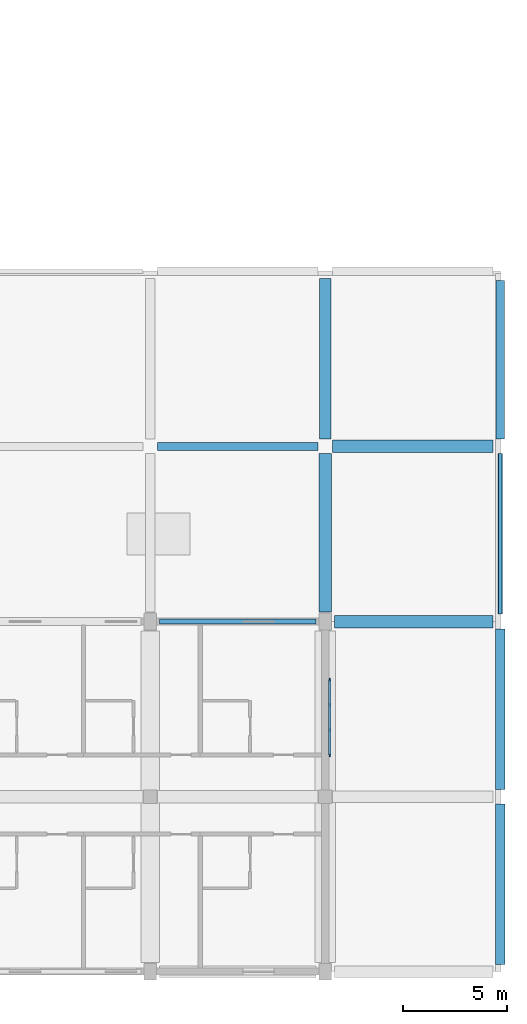
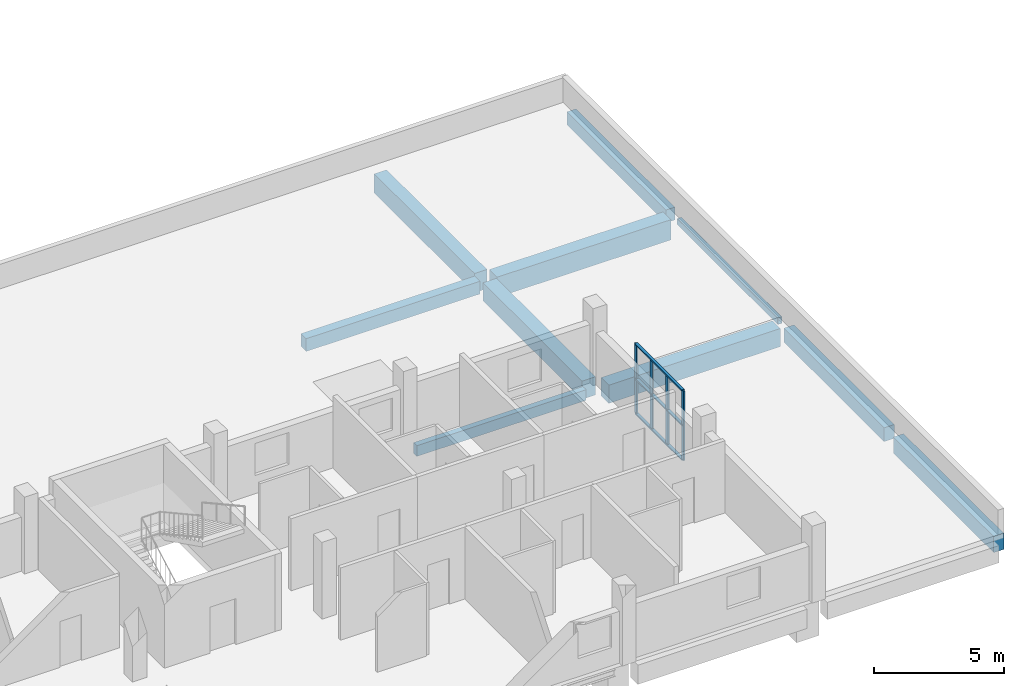
# One storey, part 9 of 42: 10 beams, 7 members, 1 element without a shape of its own.
"""IFC4 building model written with IfcOpenShell, lengths in metres."""

from ifc_helpers import new_model, si_unit, derived_unit, direction, frame, origin, origin_2d, place, context, subcontext, project, spatial, rectangle, hollow_rectangle, extrude, material, material_profile, profile_set, type_object, element, aggregate, save


model = new_model("IFC4")

# Units and contexts
model_context = context("Model", 3, precision=1e-05, world=origin(), true_north=direction((0.0, 1.0)))
body_context = subcontext(model_context, "Body", "Model", "MODEL_VIEW")
ifc_project = project(units=[si_unit("LENGTHUNIT", "METRE"), si_unit("AREAUNIT", "SQUARE_METRE"), si_unit("VOLUMEUNIT", "CUBIC_METRE"), si_unit("PLANEANGLEUNIT", "RADIAN"), si_unit("MASSUNIT", "GRAM", prefix="KILO"), derived_unit("THERMALTRANSMITTANCEUNIT", [(si_unit("POWERUNIT", "WATT"), 1), (si_unit("LENGTHUNIT", "METRE"), -2), (si_unit("THERMODYNAMICTEMPERATUREUNIT", "KELVIN"), -1)])], contexts=[model_context])

# Site, building, storey
site_placement = place(None, origin())
site = spatial("IfcSite", under=ifc_project, at=site_placement, CompositionType="ELEMENT")
building_placement = place(site_placement, origin())
building = spatial("IfcBuilding", under=site, at=building_placement, Name="Barrovel Congress Hotel", CompositionType="ELEMENT")
storey_placement = place(building_placement, frame((0.0, 0.0, 18.300048828125)))
storey = spatial("IfcBuildingStorey", under=building, at=storey_placement, Name="L04", CompositionType="ELEMENT", Elevation=18.300048828125)

# Beams
ifc_material_1 = material(Name="Concrete C40", Category="concrete")
ifc_material_profile_1 = material_profile(ifc_material_1, rectangle(XDim=0.25, YDim=0.5, at=origin_2d()), Name="RC250x500")
ifc_profile_set_1 = profile_set([ifc_material_profile_1], Name="Concrete C40")
beam_type_1 = type_object("IfcBeamType", Name="BM-RC250x500", PredefinedType="SPANDREL", material=ifc_profile_set_1)
beam_1_placement = place(storey_placement, frame((160.050048828125, 21.0, -0.550048828125), z_axis=(1.0, 0.0, 0.0), x_axis=(0.0, 1.0, 0.0)))
element("IfcBeam", 1, at=beam_1_placement, inside=storey, type_object=beam_type_1, Name="BMX:L04:21.0:159.6-168.0", PredefinedType="SPANDREL", context=body_context, shape_type="SweptSolid", body=[
    extrude(rectangle(XDim=0.25, YDim=0.5, at=origin_2d()), origin(), (0.0, 0.0, 1.0), 7.5),
])
ifc_material_profile_2 = material_profile(ifc_material_1, rectangle(XDim=0.39990234375, YDim=0.60009765625, at=origin_2d()), Name="RC400x600")
ifc_profile_set_2 = profile_set([ifc_material_profile_2], Name="Concrete C40")
beam_type_2 = type_object("IfcBeamType", Name="BM-RC400x600", PredefinedType="BEAM", material=ifc_profile_set_2)
beam_2_placement = place(storey_placement, frame((159.949951171875, 29.39990234375, -0.60009765625), z_axis=(1.0, 0.0, 0.0), x_axis=(0.0, 1.0, 0.0)))
element("IfcBeam", 2, at=beam_2_placement, inside=storey, type_object=beam_type_2, Name="BMX:L04:29.4:159.6-168.0", PredefinedType="BEAM", context=body_context, shape_type="SweptSolid", body=[
    extrude(rectangle(XDim=0.39990234375, YDim=0.60009765625, at=origin_2d()), origin(), (0.0, 0.0, 1.0), 7.699951171875),
])
beam_3_placement = place(storey_placement, frame((176.39990234375, 29.75, -0.60009765625), z_axis=(0.0, 1.0, 0.0), x_axis=(-1.0, 0.0, 0.0)))
element("IfcBeam", 3, at=beam_3_placement, inside=storey, type_object=beam_type_2, Name="BMY:L04:176.4:29.4-37.8", PredefinedType="BEAM", context=body_context, shape_type="SweptSolid", body=[
    extrude(rectangle(XDim=0.39990234375, YDim=0.60009765625, at=origin_2d()), origin(), (0.0, 0.0, 1.0), 7.60009765625),
])
ifc_material_profile_3 = material_profile(ifc_material_1, rectangle(XDim=0.449951171875, YDim=0.64990234375, at=origin_2d()), Name="RC450x650")
ifc_profile_set_3 = profile_set([ifc_material_profile_3], Name="Concrete C40")
beam_type_3 = type_object("IfcBeamType", Name="BM-RC450x650", PredefinedType="BEAM", material=ifc_profile_set_3)
beam_4_placement = place(storey_placement, frame((176.39990234375, 12.949951171875, -0.625), z_axis=(0.0, 1.0, 0.0), x_axis=(-1.0, 0.0, 0.0)))
element("IfcBeam", 4, at=beam_4_placement, inside=storey, type_object=beam_type_3, Name="BMY:L04:176.4:12.6-21.0", PredefinedType="BEAM", context=body_context, shape_type="SweptSolid", body=[
    extrude(rectangle(XDim=0.449951171875, YDim=0.64990234375, at=origin_2d()), origin(), (0.0, 0.0, 1.0), 7.699951171875),
])
ifc_material_profile_4 = material_profile(ifc_material_1, rectangle(XDim=0.449951171875, YDim=0.75, at=origin_2d()), Name="RC450x750")
ifc_profile_set_4 = profile_set([ifc_material_profile_4], Name="Concrete C40")
beam_type_4 = type_object("IfcBeamType", Name="BM-RC450x750", PredefinedType="BEAM", material=ifc_profile_set_4)
beam_5_placement = place(storey_placement, frame((176.39990234375, 4.550048828125, -0.675048828125), z_axis=(0.0, 1.0, 0.0), x_axis=(-1.0, 0.0, 0.0)))
element("IfcBeam", 5, at=beam_5_placement, inside=storey, type_object=beam_type_4, Name="BMY:L04:176.4:4.2-12.6", PredefinedType="BEAM", context=body_context, shape_type="SweptSolid", body=[
    extrude(rectangle(XDim=0.449951171875, YDim=0.75, at=origin_2d()), origin(), (0.0, 0.0, 1.0), 7.699951171875),
])
ifc_material_profile_5 = material_profile(ifc_material_1, rectangle(XDim=0.550048828125, YDim=0.89990234375, at=origin_2d()), Name="RC550x900")
ifc_profile_set_5 = profile_set([ifc_material_profile_5], Name="Concrete C40")
beam_type_5 = type_object("IfcBeamType", Name="BM-RC550x900", PredefinedType="BEAM", material=ifc_profile_set_5)
beam_6_placement = place(storey_placement, frame((168.0, 29.75, -0.75), z_axis=(0.0, 1.0, 0.0), x_axis=(-1.0, 0.0, 0.0)))
element("IfcBeam", 6, at=beam_6_placement, inside=storey, type_object=beam_type_5, Name="BMY:L04:168.0:29.4-37.8", PredefinedType="BEAM", context=body_context, shape_type="SweptSolid", body=[
    extrude(rectangle(XDim=0.550048828125, YDim=0.89990234375, at=origin_2d()), origin(), (0.0, 0.0, 1.0), 7.699951171875),
])
ifc_material_profile_6 = material_profile(ifc_material_1, rectangle(XDim=0.60009765625, YDim=0.85009765625, at=origin_2d()), Name="RC600x850")
ifc_profile_set_6 = profile_set([ifc_material_profile_6], Name="Concrete C40")
beam_type_6 = type_object("IfcBeamType", Name="BM-RC600x850", PredefinedType="BEAM", material=ifc_profile_set_6)
for number, where, z_axis, x_axis, name in (
    (7, (168.449951171875, 21.0, -0.72509765625), (1.0, 0.0, 0.0), (0.0, 1.0, 0.0), "BMX:L04:21.0:168.0-176.4"),
    (8, (168.0, 21.449951171875, -0.72509765625), (0.0, 1.0, 0.0), (-1.0, 0.0, 0.0), "BMY:L04:168.0:21.0-29.4"),
):
    element("IfcBeam", number, at=place(storey_placement, frame(where, z_axis=z_axis, x_axis=x_axis)), inside=storey, type_object=beam_type_6, Name=name, PredefinedType="BEAM", context=body_context, shape_type="SweptSolid", body=[
        extrude(rectangle(XDim=0.60009765625, YDim=0.85009765625, at=origin_2d()), origin(), (0.0, 0.0, 1.0), 7.60009765625),
    ])
ifc_material_profile_7 = material_profile(ifc_material_1, rectangle(XDim=0.60009765625, YDim=0.949951171875, at=origin_2d()), Name="RC600x950")
ifc_profile_set_7 = profile_set([ifc_material_profile_7], Name="Concrete C40")
beam_type_7 = type_object("IfcBeamType", Name="BM-RC600x950", PredefinedType="BEAM", material=ifc_profile_set_7)
beam_7_placement = place(storey_placement, frame((168.35009765625, 29.39990234375, -0.775146484375), z_axis=(1.0, 0.0, 0.0), x_axis=(0.0, 1.0, 0.0)))
element("IfcBeam", 9, at=beam_7_placement, inside=storey, type_object=beam_type_7, Name="BMX:L04:29.4:168.0-176.4", PredefinedType="BEAM", context=body_context, shape_type="SweptSolid", body=[
    extrude(rectangle(XDim=0.60009765625, YDim=0.949951171875, at=origin_2d()), origin(), (0.0, 0.0, 1.0), 7.699951171875),
])

# Curtain wall, members
ifc_material_2 = material(Name="Anodised Aluminium Alloy 6063-T6", Category="aluminium")
curtain_wall_type = type_object("IfcCurtainWallType", Name="CW-UN-3600x3200", PredefinedType="USERDEFINED", material=ifc_material_2)
curtain_wall_placement = place(storey_placement, origin())
curtain_wall = element("IfcCurtainWall", 10, at=curtain_wall_placement, inside=storey, type_object=curtain_wall_type, Name="CW:L04:UN-1", ObjectType="UNITISED CURTAIN WALL", PredefinedType="USERDEFINED")
ifc_material_profile_8 = material_profile(ifc_material_2, rectangle(XDim=0.06005859375, YDim=0.1650390625, at=origin_2d()), Name="AL-M60x165")
ifc_profile_set_8 = profile_set([ifc_material_profile_8], Name="Anodised Aluminium Alloy 6063-T6")
member_type_1 = type_object("IfcMemberType", Name="CWM-AL-M60x165", PredefinedType="MULLION", material=ifc_profile_set_8)
member_1_placement = place(storey_placement, frame((168.219970703125, 14.60009765625, 0.0), z_axis=(0.0, 0.0, 1.0), x_axis=(1.0, 0.0, 0.0)))
member_1 = element("IfcMember", 11, at=member_1_placement, type_object=member_type_1, Name="CW:L04:UN-1:M0", PredefinedType="MULLION", context=body_context, shape_type="SweptSolid", body=[
    extrude(rectangle(XDim=0.06005859375, YDim=0.1650390625, at=origin_2d()), origin(), (0.0, 0.0, 1.0), 3.25),
])
member_2_placement = place(storey_placement, frame((168.219970703125, 15.800048828125, 0.0), z_axis=(0.0, 0.0, 1.0), x_axis=(1.0, 0.0, 0.0)))
member_2 = element("IfcMember", 12, at=member_2_placement, type_object=member_type_1, Name="CW:L04:UN-1:M1", PredefinedType="MULLION", context=body_context, shape_type="SweptSolid", body=[
    extrude(rectangle(XDim=0.06005859375, YDim=0.1650390625, at=origin_2d()), origin(), (0.0, 0.0, 1.0), 3.25),
])
member_3_placement = place(storey_placement, frame((168.219970703125, 17.0, 0.0), z_axis=(0.0, 0.0, 1.0), x_axis=(1.0, 0.0, 0.0)))
member_3 = element("IfcMember", 13, at=member_3_placement, type_object=member_type_1, Name="CW:L04:UN-1:M2", PredefinedType="MULLION", context=body_context, shape_type="SweptSolid", body=[
    extrude(rectangle(XDim=0.06005859375, YDim=0.1650390625, at=origin_2d()), origin(), (0.0, 0.0, 1.0), 3.25),
])
member_4_placement = place(storey_placement, frame((168.219970703125, 18.199951171875, 0.0), z_axis=(0.0, 0.0, 1.0), x_axis=(1.0, 0.0, 0.0)))
member_4 = element("IfcMember", 14, at=member_4_placement, type_object=member_type_1, Name="CW:L04:UN-1:M3", PredefinedType="MULLION", context=body_context, shape_type="SweptSolid", body=[
    extrude(rectangle(XDim=0.06005859375, YDim=0.1650390625, at=origin_2d()), origin(), (0.0, 0.0, 1.0), 3.25),
])
ifc_material_profile_9 = material_profile(ifc_material_2, rectangle(XDim=0.125, YDim=0.06005859375, at=origin_2d()), Name="AL-T60x125")
ifc_profile_set_9 = profile_set([ifc_material_profile_9], Name="Anodised Aluminium Alloy 6063-T6")
member_type_2 = type_object("IfcMemberType", Name="CWT-AL-T60x125", PredefinedType="USERDEFINED", material=ifc_profile_set_9)
member_5_placement = place(storey_placement, frame((168.219970703125, 14.60009765625, 0.0), z_axis=(0.0, 1.0, 0.0), x_axis=(-1.0, 0.0, 0.0)))
member_5 = element("IfcMember", 15, at=member_5_placement, type_object=member_type_2, Name="CW:L04:UN-1:T0", ObjectType="TRANSOM", PredefinedType="USERDEFINED", context=body_context, shape_type="SweptSolid", body=[
    extrude(rectangle(XDim=0.125, YDim=0.06005859375, at=origin_2d()), origin(), (0.0, 0.0, 1.0), 3.599853515625),
])
member_6_placement = place(storey_placement, frame((168.219970703125, 14.60009765625, 1.625), z_axis=(0.0, 1.0, 0.0), x_axis=(-1.0, 0.0, 0.0)))
member_6 = element("IfcMember", 16, at=member_6_placement, type_object=member_type_2, Name="CW:L04:UN-1:T1", ObjectType="TRANSOM", PredefinedType="USERDEFINED", context=body_context, shape_type="SweptSolid", body=[
    extrude(rectangle(XDim=0.125, YDim=0.06005859375, at=origin_2d()), origin(), (0.0, 0.0, 1.0), 3.599853515625),
])
member_7_placement = place(storey_placement, frame((168.219970703125, 14.60009765625, 3.25), z_axis=(0.0, 1.0, 0.0), x_axis=(-1.0, 0.0, 0.0)))
member_7 = element("IfcMember", 17, at=member_7_placement, type_object=member_type_2, Name="CW:L04:UN-1:T2", ObjectType="TRANSOM", PredefinedType="USERDEFINED", context=body_context, shape_type="SweptSolid", body=[
    extrude(rectangle(XDim=0.125, YDim=0.06005859375, at=origin_2d()), origin(), (0.0, 0.0, 1.0), 3.599853515625),
])
aggregate(curtain_wall, [member_1, member_2, member_3, member_4, member_5, member_6, member_7])

# Beam
ifc_material_3 = material(Name="Steel ASTM A500 Grade C", Category="steel")
ifc_material_profile_10 = material_profile(ifc_material_3, hollow_rectangle(XDim=0.203125, YDim=0.3046875, WallThickness=0.01171875, InnerFilletRadius=0.01171875, OuterFilletRadius=0.023681640625, at=origin_2d()), Name="HSS305x203x12.7")
ifc_profile_set_10 = profile_set([ifc_material_profile_10], Name="Steel ASTM A500 Grade C")
beam_type_8 = type_object("IfcBeamType", Name="SBM-HSS305x203x12.7", PredefinedType="SPANDREL", material=ifc_profile_set_10)
beam_8_placement = place(storey_placement, frame((176.39990234375, 21.35009765625, -0.452392578125), z_axis=(0.0, 1.0, 0.0), x_axis=(-1.0, 0.0, 0.0)))
element("IfcBeam", 18, at=beam_8_placement, inside=storey, type_object=beam_type_8, Name="BMY:L04:176.4:21.0-29.4", PredefinedType="SPANDREL", context=body_context, shape_type="SweptSolid", body=[
    extrude(hollow_rectangle(XDim=0.203125, YDim=0.3046875, WallThickness=0.01171875, InnerFilletRadius=0.01171875, OuterFilletRadius=0.023681640625, at=origin_2d()), origin(), (0.0, 0.0, 1.0), 7.699951171875),
])

save(model, "model.ifc")
